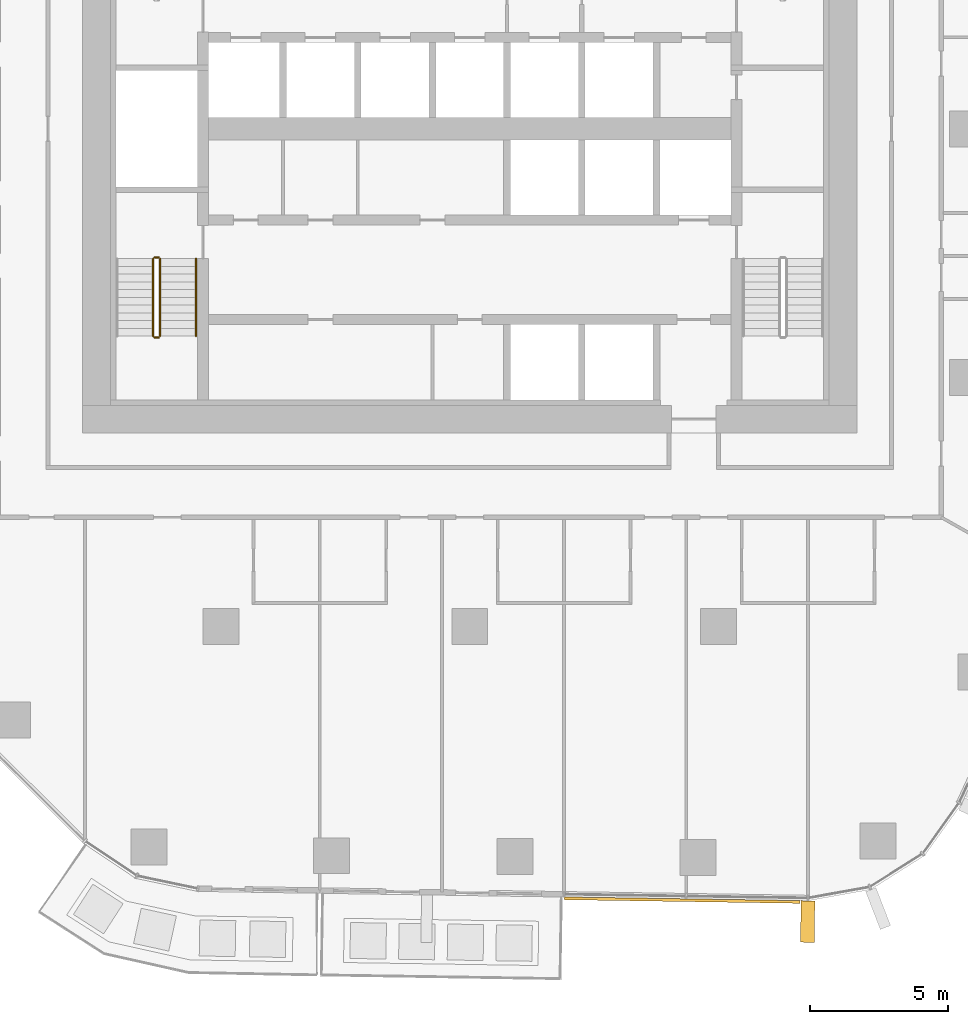
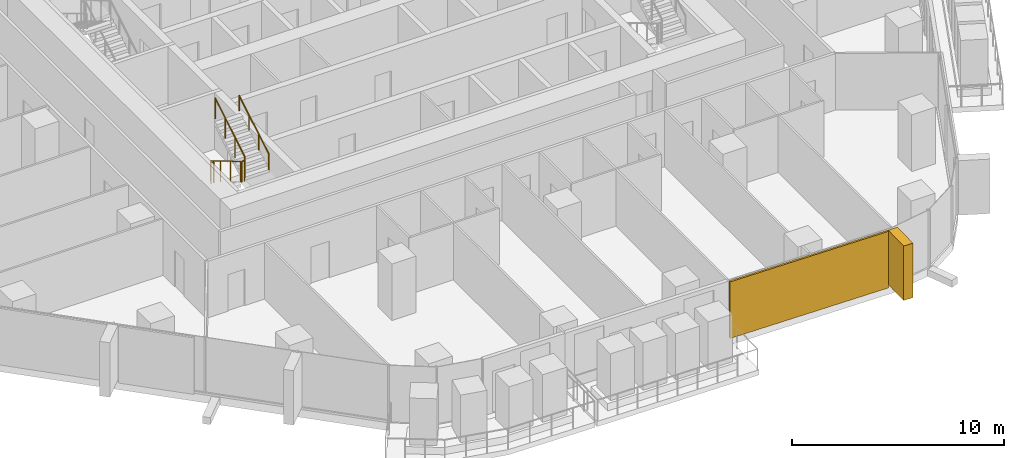
# One storey, part 20 of 24: 5 railings, 2 coverings, 1 element without a shape of its own.
"""IFC4 building model written with IfcOpenShell, lengths in metres."""

from ifc_helpers import new_model, si_unit, direction, frame, origin, origin_2d, place, context, subcontext, project, spatial, rectangle, circle, extrude, material, layer, layer_set, material_profile, profile_set, type_object, element, aggregate, save


model = new_model("IFC4")

# Units and contexts
model_context = context("Model", 3, precision=1e-05, world=origin(), true_north=direction((0.0, 1.0)))
body_context = subcontext(model_context, "Body", "Model", "MODEL_VIEW")
ifc_project = project(units=[si_unit("LENGTHUNIT", "METRE"), si_unit("AREAUNIT", "SQUARE_METRE"), si_unit("VOLUMEUNIT", "CUBIC_METRE"), si_unit("PLANEANGLEUNIT", "RADIAN"), si_unit("MASSUNIT", "GRAM", prefix="KILO")], contexts=[model_context])

# Site, building, storey
site_placement = place(None, origin())
site = spatial("IfcSite", under=ifc_project, at=site_placement, CompositionType="ELEMENT")
building_placement = place(site_placement, origin())
building = spatial("IfcBuilding", under=site, at=building_placement, Name="Dongbaek Canopy Tower", CompositionType="ELEMENT")
storey_placement = place(building_placement, frame((0.0, 0.0, 98.89990234375)))
storey = spatial("IfcBuildingStorey", under=building, at=storey_placement, Name="L20", CompositionType="ELEMENT", Elevation=98.89990234375)

# Curtain wall, coverings
ifc_material_1 = material(Name="Aluminium 6063-T6 pale anodised", Category="aluminium")
ifc_layer_1 = layer(ifc_material_1, 0.199951171875)
ifc_layer_set_1 = layer_set([ifc_layer_1], Name="CW-1 unitised tower curtain wall")
curtain_wall_type = type_object("IfcCurtainWallType", Name="CW-1 unitised tower curtain wall", PredefinedType="NOTDEFINED", material=ifc_layer_set_1)
curtain_wall_placement = place(storey_placement, origin())
curtain_wall = element("IfcCurtainWall", 1, at=curtain_wall_placement, inside=storey, type_object=curtain_wall_type, Name="CW-1 curtain wall F4.1", PredefinedType="NOTDEFINED")
ifc_material_2 = material(Name="Perforated aluminium 6063-T6 pale metal screen", Category="aluminium")
ifc_layer_2 = layer(ifc_material_2, 0.10009765625)
ifc_layer_set_2 = layer_set([ifc_layer_2], Name="Facet screen FS1 100 pale metal")
covering_type_1 = type_object("IfcCoveringType", Name="Facet screen FS1 100 pale metal", PredefinedType="CLADDING", material=ifc_layer_set_2)
covering_1_placement = place(storey_placement, frame((7.6748046875, -27.896728515625, 0.0), z_axis=(0.0, 0.0, 1.0), x_axis=(0.999881222026, -0.015412392378, 0.0)))
covering_1 = element("IfcCovering", 2, at=covering_1_placement, type_object=covering_type_1, Name="Facet screen L20 F4", PredefinedType="CLADDING", context=body_context, shape_type="SweptSolid", body=[
    extrude(rectangle(XDim=8.534912109375, YDim=0.10009765625, at=origin_2d()), origin(), (0.0, 0.0, 1.0), 3.25),
])
ifc_material_3 = material(Name="Aluminium 6063-T6 pale metal fin", Category="aluminium")
ifc_material_profile = material_profile(ifc_material_3, rectangle(XDim=1.5, YDim=0.5, at=origin_2d()), Name="Fin FN1 500 x 1500 pale metal")
ifc_profile_set = profile_set([ifc_material_profile], Name="Aluminium 6063-T6 pale metal fin")
covering_type_2 = type_object("IfcCoveringType", Name="Fin FN1 500 x 1500 pale metal", PredefinedType="CLADDING", material=ifc_profile_set)
covering_2_placement = place(storey_placement, frame((12.220703125, -28.6708984375, 0.1201171875), z_axis=(0.0, 0.0, 1.0), x_axis=(-0.015412878639, -0.999881214531, 0.0)))
covering_2 = element("IfcCovering", 3, at=covering_2_placement, type_object=covering_type_2, Name="Fin F4.1.3", PredefinedType="CLADDING", context=body_context, shape_type="SweptSolid", body=[
    extrude(rectangle(XDim=1.5, YDim=0.5, at=origin_2d()), origin(), (0.0, 0.0, 1.0), 3.1298828125),
])
aggregate(curtain_wall, [covering_2, covering_1])

# Railings
ifc_material_4 = material(Name="Stainless steel tube and balusters", Category="steel")
railing_type_1 = type_object("IfcRailingType", Name="Stair guard 1200", PredefinedType="GUARDRAIL", material=ifc_material_4)
railing_1_placement = place(storey_placement, frame((-11.449951171875, -4.699951171875, 0.168212890625)))
element("IfcRailing", 4, at=railing_1_placement, inside=storey, type_object=railing_type_1, Name="L20 ST-D stair guard 1", PredefinedType="GUARDRAIL", context=body_context, shape_type="SweptSolid", body=[
    extrude(circle(Radius=0.02392578125, at=origin_2d()), frame((0.0, 0.0, 1.17578125), z_axis=(0.0, -0.857242210791, 0.514913383045), x_axis=(1.0, 0.0, 0.0)), (0.0, 0.0, 1.0), 3.266357421875),
    extrude(circle(Radius=0.02099609375, at=origin_2d()), origin(), (0.0, 0.0, 1.0), 1.15185546875),
    extrude(circle(Radius=0.02099609375, at=origin_2d()), frame((0.0, -0.933349609375, 0.560546875)), (0.0, 0.0, 1.0), 1.15185546875),
    extrude(circle(Radius=0.02099609375, at=origin_2d()), frame((0.0, -1.86669921875, 1.121337890625)), (0.0, 0.0, 1.0), 1.15185546875),
    extrude(circle(Radius=0.02099609375, at=origin_2d()), frame((0.0, -2.800048828125, 1.681884765625)), (0.0, 0.0, 1.0), 1.15185546875),
])
railing_2_placement = place(storey_placement, frame((-11.39990234375, -7.550048828125, 1.85009765625)))
element("IfcRailing", 5, at=railing_2_placement, inside=storey, type_object=railing_type_1, Name="L20 ST-D stair guard 2", PredefinedType="GUARDRAIL", context=body_context, shape_type="SweptSolid", body=[
    extrude(circle(Radius=0.02392578125, at=origin_2d()), frame((0.0, 0.0, 1.17578125), z_axis=(1.0, 0.0, 0.0), x_axis=(0.0, 1.0, 0.0)), (0.0, 0.0, 1.0), 0.14990234375),
    extrude(circle(Radius=0.02099609375, at=origin_2d()), origin(), (0.0, 0.0, 1.0), 1.15185546875),
    extrude(circle(Radius=0.02099609375, at=origin_2d()), frame((0.14990234375, 0.0, 0.0)), (0.0, 0.0, 1.0), 1.15185546875),
])
railing_3_placement = place(storey_placement, frame((-11.199951171875, -7.5, 2.018310546875)))
element("IfcRailing", 6, at=railing_3_placement, inside=storey, type_object=railing_type_1, Name="L20 ST-D stair guard 3", PredefinedType="GUARDRAIL", context=body_context, shape_type="SweptSolid", body=[
    extrude(circle(Radius=0.02392578125, at=origin_2d()), frame((0.0, 0.0, 1.17578125), z_axis=(0.0, 0.857242210791, 0.514913383045), x_axis=(-1.0, 0.0, 0.0)), (0.0, 0.0, 1.0), 3.266357421875),
    extrude(circle(Radius=0.02099609375, at=origin_2d()), origin(), (0.0, 0.0, 1.0), 1.15185546875),
    extrude(circle(Radius=0.02099609375, at=origin_2d()), frame((0.0, 0.933349609375, 0.560546875)), (0.0, 0.0, 1.0), 1.15185546875),
    extrude(circle(Radius=0.02099609375, at=origin_2d()), frame((0.0, 1.86669921875, 1.121337890625)), (0.0, 0.0, 1.0), 1.15185546875),
    extrude(circle(Radius=0.02099609375, at=origin_2d()), frame((0.0, 2.800048828125, 1.681884765625)), (0.0, 0.0, 1.0), 1.15185546875),
])
railing_4_placement = place(storey_placement, frame((-11.39990234375, -4.64990234375, 0.0)))
element("IfcRailing", 7, at=railing_4_placement, inside=storey, type_object=railing_type_1, Name="L20 ST-D stair guard 4", PredefinedType="GUARDRAIL", context=body_context, shape_type="SweptSolid", body=[
    extrude(circle(Radius=0.02392578125, at=origin_2d()), frame((0.0, 0.0, 1.17578125), z_axis=(1.0, 0.0, 0.0), x_axis=(0.0, 1.0, 0.0)), (0.0, 0.0, 1.0), 0.14990234375),
    extrude(circle(Radius=0.02099609375, at=origin_2d()), origin(), (0.0, 0.0, 1.0), 1.15185546875),
    extrude(circle(Radius=0.02099609375, at=origin_2d()), frame((0.14990234375, 0.0, 0.0)), (0.0, 0.0, 1.0), 1.15185546875),
])
ifc_material_5 = material(Name="Stainless steel tube", Category="steel")
railing_type_2 = type_object("IfcRailingType", Name="Stair handrail 900", PredefinedType="HANDRAIL", material=ifc_material_5)
railing_5_placement = place(storey_placement, frame((-9.89990234375, -7.5, 2.018310546875)))
element("IfcRailing", 8, at=railing_5_placement, inside=storey, type_object=railing_type_2, Name="L20 ST-D stair handrail 2", PredefinedType="HANDRAIL", context=body_context, shape_type="SweptSolid", body=[
    extrude(circle(Radius=0.02392578125, at=origin_2d()), frame((0.0, 0.0, 0.8759765625), z_axis=(0.0, 0.857242210791, 0.514913383045), x_axis=(-1.0, 0.0, 0.0)), (0.0, 0.0, 1.0), 3.266357421875),
    extrude(circle(Radius=0.02099609375, at=origin_2d()), origin(), (0.0, 0.0, 1.0), 0.851806640625),
    extrude(circle(Radius=0.02099609375, at=origin_2d()), frame((0.0, 0.933349609375, 0.560546875)), (0.0, 0.0, 1.0), 0.851806640625),
    extrude(circle(Radius=0.02099609375, at=origin_2d()), frame((0.0, 1.86669921875, 1.121337890625)), (0.0, 0.0, 1.0), 0.851806640625),
    extrude(circle(Radius=0.02099609375, at=origin_2d()), frame((0.0, 2.800048828125, 1.681884765625)), (0.0, 0.0, 1.0), 0.851806640625),
])

save(model, "model.ifc")
